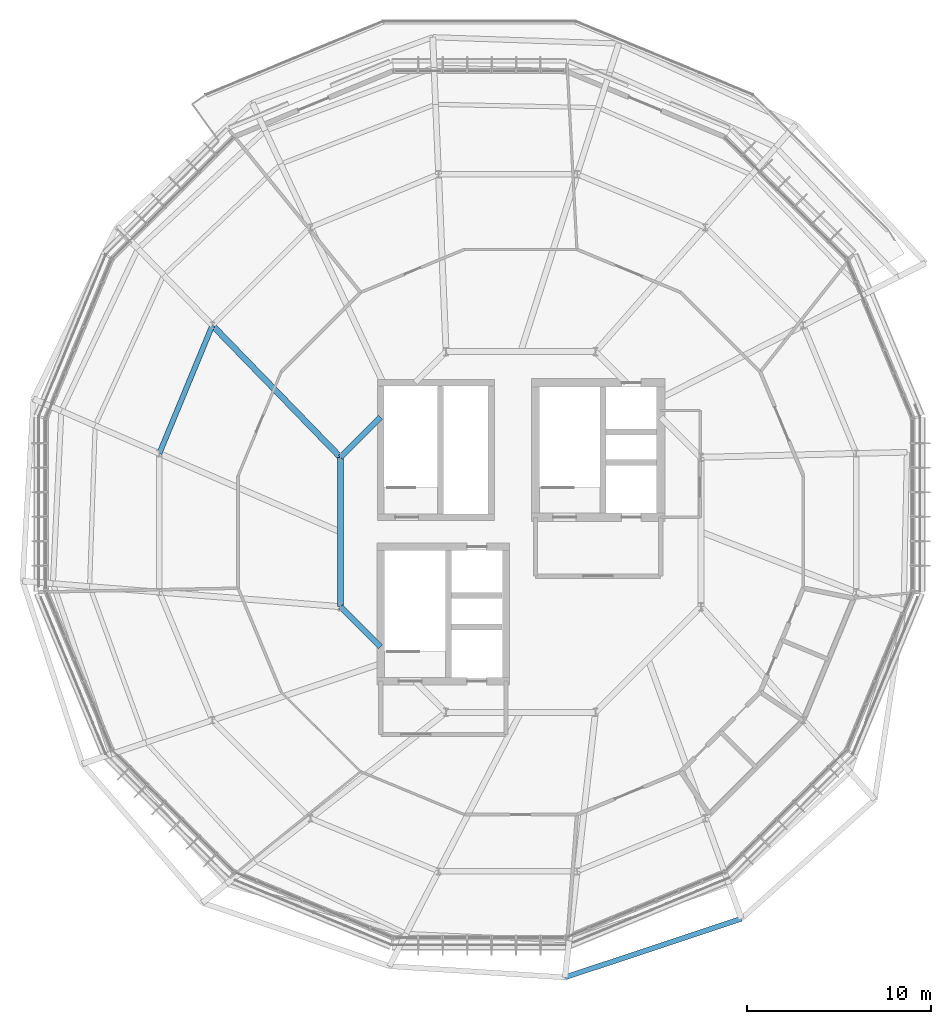
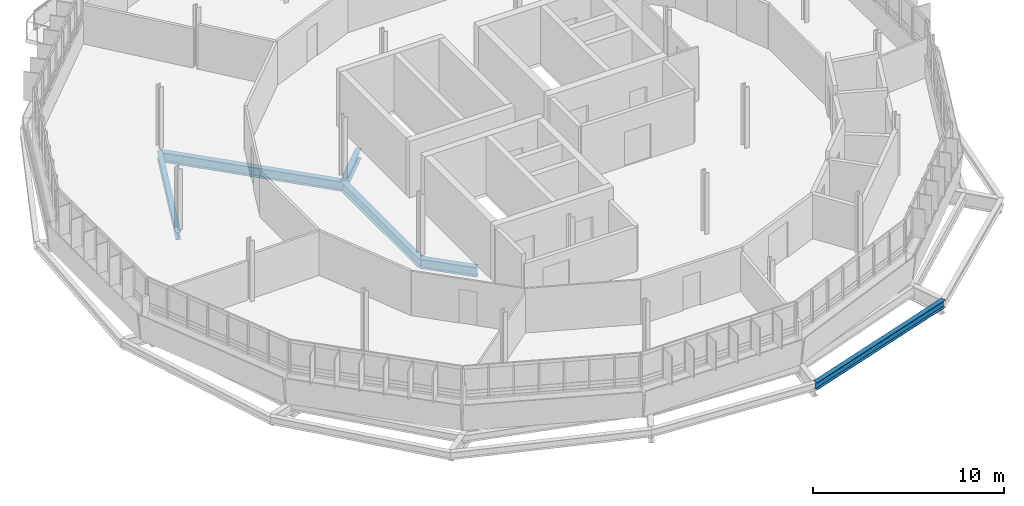
# One storey, part 11 of 31: 6 beams.
"""IFC4 building model written with IfcOpenShell, lengths in metres."""

from ifc_helpers import new_model, si_unit, derived_unit, direction, frame, origin, origin_2d, place, context, subcontext, project, spatial, i_section, extrude, material, material_profile, profile_set, type_object, element, save


model = new_model("IFC4")

# Units and contexts
model_context = context("Model", 3, precision=1e-05, world=origin(), true_north=direction((0.0, 1.0)))
body_context = subcontext(model_context, "Body", "Model", "MODEL_VIEW")
ifc_project = project(units=[si_unit("LENGTHUNIT", "METRE"), si_unit("AREAUNIT", "SQUARE_METRE"), si_unit("VOLUMEUNIT", "CUBIC_METRE"), si_unit("PLANEANGLEUNIT", "RADIAN"), si_unit("MASSUNIT", "GRAM", prefix="KILO"), derived_unit("THERMALTRANSMITTANCEUNIT", [(si_unit("MASSUNIT", "GRAM", prefix="KILO"), 1), (si_unit("TIMEUNIT", "SECOND"), -3), (si_unit("THERMODYNAMICTEMPERATUREUNIT", "KELVIN"), -1)])], contexts=[model_context])

# Site, building, storey
site_placement = place(None, origin())
site = spatial("IfcSite", under=ifc_project, at=site_placement, CompositionType="ELEMENT")
building_placement = place(site_placement, origin())
building = spatial("IfcBuilding", under=site, at=building_placement, Name="Makaiwela Harbour Ferry Terminal", CompositionType="ELEMENT")
storey_placement = place(building_placement, frame((0.0, 0.0, 21.60009765625)))
storey = spatial("IfcBuildingStorey", under=building, at=storey_placement, Name="L05", CompositionType="ELEMENT", Elevation=21.60009765625)

# Beams
ifc_material = material(Name="Steel ASTM A992 Grade 50", Category="steel")
ifc_material_profile_1 = material_profile(ifc_material, i_section(OverallWidth=0.324951171875, OverallDepth=0.615966796875, WebThickness=0.013916015625, FlangeThickness=0.021484375, at=origin_2d()), Name="W24X117")
ifc_profile_set_1 = profile_set([ifc_material_profile_1], Name="Steel ASTM A992 Grade 50")
beam_type_1 = type_object("IfcBeamType", Name="STR-GRD-W24X117", PredefinedType="USERDEFINED", material=ifc_profile_set_1)
beam_1_placement = place(storey_placement, frame((30.179931640625, 73.82958984375, -0.55810546875), z_axis=(-0.707106781187, -0.707106781187, 0.0), x_axis=(0.707106781187, -0.707106781187, 0.0)))
element("IfcBeam", 1, at=beam_1_placement, inside=storey, type_object=beam_type_1, Name="Drum inner ring girder 500", ObjectType="GIRDER", PredefinedType="USERDEFINED", context=body_context, shape_type="SweptSolid", body=[
    extrude(i_section(OverallWidth=0.324951171875, OverallDepth=0.615966796875, WebThickness=0.013916015625, FlangeThickness=0.021484375, at=origin_2d()), origin(), (0.0, 0.0, 1.0), 3.0732421875),
])
beam_2_placement = place(storey_placement, frame((28.0068359375, 71.656494140625, -0.55810546875), z_axis=(0.0, -1.0, 0.0), x_axis=(1.0, 0.0, 0.0)))
element("IfcBeam", 2, at=beam_2_placement, inside=storey, type_object=beam_type_1, Name="Drum inner ring girder 501", ObjectType="GIRDER", PredefinedType="USERDEFINED", context=body_context, shape_type="SweptSolid", body=[
    extrude(i_section(OverallWidth=0.324951171875, OverallDepth=0.615966796875, WebThickness=0.013916015625, FlangeThickness=0.021484375, at=origin_2d()), origin(), (0.0, 0.0, 1.0), 8.11279296875),
])
beam_3_placement = place(storey_placement, frame((28.0068359375, 63.543701171875, -0.55810546875), z_axis=(0.707106781187, -0.707106781187, 0.0), x_axis=(0.707106781187, 0.707106781187, 0.0)))
element("IfcBeam", 3, at=beam_3_placement, inside=storey, type_object=beam_type_1, Name="Drum inner ring girder 502", ObjectType="GIRDER", PredefinedType="USERDEFINED", context=body_context, shape_type="SweptSolid", body=[
    extrude(i_section(OverallWidth=0.324951171875, OverallDepth=0.615966796875, WebThickness=0.013916015625, FlangeThickness=0.021484375, at=origin_2d()), origin(), (0.0, 0.0, 1.0), 3.0732421875),
])
beam_4_placement = place(storey_placement, frame((28.0068359375, 71.656494140625, -0.55810546875), z_axis=(-0.696428721194, 0.717625972423, 0.0), x_axis=(-0.717625972423, -0.696428721194, 0.0)))
element("IfcBeam", 4, at=beam_4_placement, inside=storey, type_object=beam_type_1, Name="Drum radial girder 545", ObjectType="GIRDER", PredefinedType="USERDEFINED", context=body_context, shape_type="SweptSolid", body=[
    extrude(i_section(OverallWidth=0.324951171875, OverallDepth=0.615966796875, WebThickness=0.013916015625, FlangeThickness=0.021484375, at=origin_2d()), origin(), (0.0, 0.0, 1.0), 9.98583984375),
])
ifc_material_profile_2 = material_profile(ifc_material, i_section(OverallWidth=0.283935546875, OverallDepth=0.47607421875, WebThickness=0.014892578125, FlangeThickness=0.02392578125, at=origin_2d()), Name="W18X106")
ifc_profile_set_2 = profile_set([ifc_material_profile_2], Name="Steel ASTM A992 Grade 50")
beam_type_2 = type_object("IfcBeamType", Name="STR-SPN-W18X106", PredefinedType="SPANDREL", material=ifc_profile_set_2)
beam_5_placement = place(storey_placement, frame((21.052490234375, 78.822509765625, -0.488037109375), z_axis=(-0.382660079618, -0.92388920519, 0.0), x_axis=(0.92388920519, -0.382660079618, 0.0)))
element("IfcBeam", 5, at=beam_5_placement, inside=storey, type_object=beam_type_2, Name="Drum column ring girder 513", PredefinedType="SPANDREL", context=body_context, shape_type="SweptSolid", body=[
    extrude(i_section(OverallWidth=0.283935546875, OverallDepth=0.47607421875, WebThickness=0.014892578125, FlangeThickness=0.02392578125, at=origin_2d()), origin(), (0.0, 0.0, 1.0), 7.530517578125),
])
beam_6_placement = place(storey_placement, frame((40.203857421875, 43.40869140625, -0.488037109375), z_axis=(0.948910377398, 0.3155457109, 0.0), x_axis=(-0.3155457109, 0.948910377398, 0.0)))
element("IfcBeam", 6, at=beam_6_placement, inside=storey, type_object=beam_type_2, Name="Drum perimeter spandrel 614", PredefinedType="SPANDREL", context=body_context, shape_type="SweptSolid", body=[
    extrude(i_section(OverallWidth=0.283935546875, OverallDepth=0.47607421875, WebThickness=0.014892578125, FlangeThickness=0.02392578125, at=origin_2d()), origin(), (0.0, 0.0, 1.0), 10.095458984375),
])

save(model, "model.ifc")
